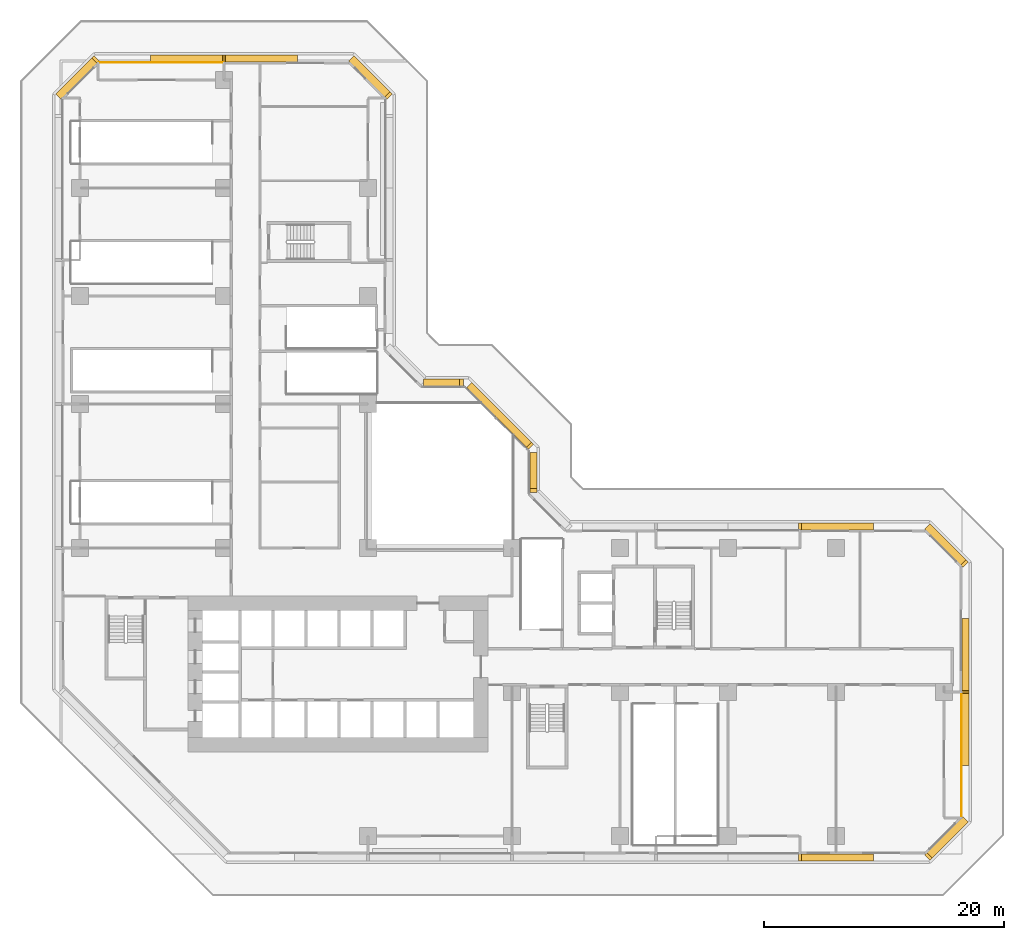
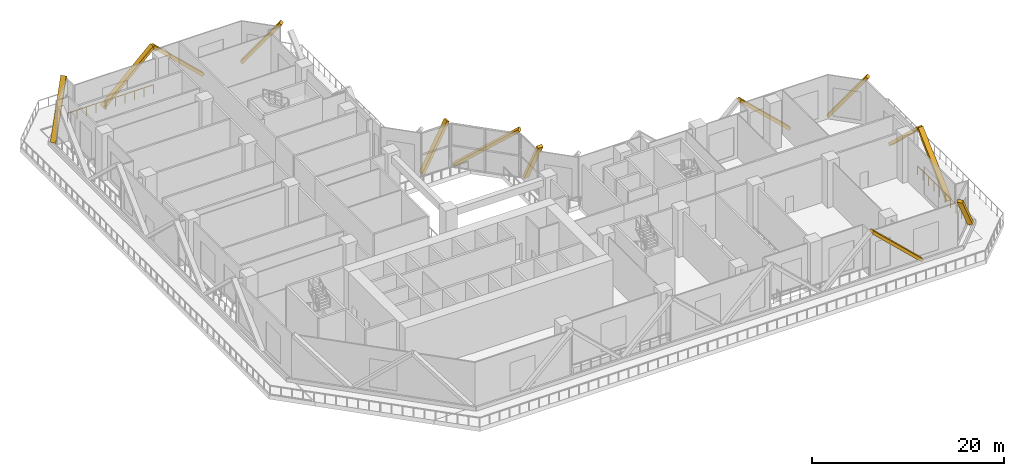
# One storey, part 16 of 16: 13 coverings, 2 railings.
"""IFC4 building model written with IfcOpenShell, lengths in metres."""

from ifc_helpers import new_model, si_unit, direction, frame, origin, origin_2d, place, context, subcontext, project, spatial, rectangle, extrude, material, material_profile, profile_set, type_object, element, save


model = new_model("IFC4")

# Units and contexts
model_context = context("Model", 3, precision=1e-05, world=origin(), true_north=direction((0.0, 1.0)))
body_context = subcontext(model_context, "Body", "Model", "MODEL_VIEW")
ifc_project = project(units=[si_unit("LENGTHUNIT", "METRE"), si_unit("AREAUNIT", "SQUARE_METRE"), si_unit("VOLUMEUNIT", "CUBIC_METRE"), si_unit("PLANEANGLEUNIT", "RADIAN"), si_unit("MASSUNIT", "GRAM", prefix="KILO")], contexts=[model_context])

# Site, building, storey
site_placement = place(None, origin())
site = spatial("IfcSite", under=ifc_project, at=site_placement, CompositionType="ELEMENT")
building_placement = place(site_placement, origin())
building = spatial("IfcBuilding", under=site, at=building_placement, Name="Chenar Terraces", CompositionType="ELEMENT")
storey_placement = place(building_placement, frame((0.0, 0.0, 35.39990234375)))
storey = spatial("IfcBuildingStorey", under=building, at=storey_placement, Name="L06", CompositionType="ELEMENT", Elevation=35.39990234375)

# Railings
ifc_material_1 = material(Name="Stainless steel and glass", Category="steel")
railing_type = type_object("IfcRailingType", Name="Loggia guard 1150", PredefinedType="GUARDRAIL", material=ifc_material_1)
railing_1_placement = place(storey_placement, frame((73.449951171875, 1.574951171875, 0.0)))
element("IfcRailing", 1, at=railing_1_placement, inside=storey, type_object=railing_type, Name="Loggia guard", PredefinedType="GUARDRAIL", context=body_context, shape_type="SweptSolid", body=[
    extrude(rectangle(XDim=0.048095703125, YDim=0.048095703125, at=origin_2d()), frame((0.0, 0.0, 1.1259765625), z_axis=(0.0, 1.0, 0.0), x_axis=(-1.0, 0.0, 0.0)), (0.0, 0.0, 1.0), 10.35009765625),
    extrude(rectangle(XDim=0.0419921875, YDim=0.0419921875, at=origin_2d()), origin(), (0.0, 0.0, 1.0), 1.101806640625),
    extrude(rectangle(XDim=0.0419921875, YDim=0.0419921875, at=origin_2d()), frame((0.0, 1.14990234375, 0.0)), (0.0, 0.0, 1.0), 1.101806640625),
    extrude(rectangle(XDim=0.0419921875, YDim=0.0419921875, at=origin_2d()), frame((0.0, 2.300048828125, 0.0)), (0.0, 0.0, 1.0), 1.101806640625),
    extrude(rectangle(XDim=0.0419921875, YDim=0.0419921875, at=origin_2d()), frame((0.0, 3.449951171875, 0.0)), (0.0, 0.0, 1.0), 1.101806640625),
    extrude(rectangle(XDim=0.0419921875, YDim=0.0419921875, at=origin_2d()), frame((0.0, 4.60009765625, 0.0)), (0.0, 0.0, 1.0), 1.101806640625),
    extrude(rectangle(XDim=0.0419921875, YDim=0.0419921875, at=origin_2d()), frame((0.0, 5.75, 0.0)), (0.0, 0.0, 1.0), 1.101806640625),
    extrude(rectangle(XDim=0.0419921875, YDim=0.0419921875, at=origin_2d()), frame((0.0, 6.900146484375, 0.0)), (0.0, 0.0, 1.0), 1.101806640625),
    extrude(rectangle(XDim=0.0419921875, YDim=0.0419921875, at=origin_2d()), frame((0.0, 8.050048828125, 0.0)), (0.0, 0.0, 1.0), 1.101806640625),
    extrude(rectangle(XDim=0.0419921875, YDim=0.0419921875, at=origin_2d()), frame((0.0, 9.2001953125, 0.0)), (0.0, 0.0, 1.0), 1.101806640625),
    extrude(rectangle(XDim=0.0419921875, YDim=0.0419921875, at=origin_2d()), frame((0.0, 10.35009765625, 0.0)), (0.0, 0.0, 1.0), 1.101806640625),
])
railing_2_placement = place(storey_placement, frame((11.925048828125, 64.449951171875, 0.0)))
element("IfcRailing", 2, at=railing_2_placement, inside=storey, type_object=railing_type, Name="Loggia guard", PredefinedType="GUARDRAIL", context=body_context, shape_type="SweptSolid", body=[
    extrude(rectangle(XDim=0.048095703125, YDim=0.048095703125, at=origin_2d()), frame((0.0, 0.0, 1.1259765625), z_axis=(-1.0, 0.0, 0.0), x_axis=(0.0, -1.0, 0.0)), (0.0, 0.0, 1.0), 10.35009765625),
    extrude(rectangle(XDim=0.0419921875, YDim=0.0419921875, at=origin_2d()), origin(), (0.0, 0.0, 1.0), 1.101806640625),
    extrude(rectangle(XDim=0.0419921875, YDim=0.0419921875, at=origin_2d()), frame((-1.14990234375, 0.0, 0.0)), (0.0, 0.0, 1.0), 1.101806640625),
    extrude(rectangle(XDim=0.0419921875, YDim=0.0419921875, at=origin_2d()), frame((-2.300048828125, 0.0, 0.0)), (0.0, 0.0, 1.0), 1.101806640625),
    extrude(rectangle(XDim=0.0419921875, YDim=0.0419921875, at=origin_2d()), frame((-3.449951171875, 0.0, 0.0)), (0.0, 0.0, 1.0), 1.101806640625),
    extrude(rectangle(XDim=0.0419921875, YDim=0.0419921875, at=origin_2d()), frame((-4.60009765625, 0.0, 0.0)), (0.0, 0.0, 1.0), 1.101806640625),
    extrude(rectangle(XDim=0.0419921875, YDim=0.0419921875, at=origin_2d()), frame((-5.75, 0.0, 0.0)), (0.0, 0.0, 1.0), 1.101806640625),
    extrude(rectangle(XDim=0.0419921875, YDim=0.0419921875, at=origin_2d()), frame((-6.900146484375, 0.0, 0.0)), (0.0, 0.0, 1.0), 1.101806640625),
    extrude(rectangle(XDim=0.0419921875, YDim=0.0419921875, at=origin_2d()), frame((-8.050048828125, 0.0, 0.0)), (0.0, 0.0, 1.0), 1.101806640625),
    extrude(rectangle(XDim=0.0419921875, YDim=0.0419921875, at=origin_2d()), frame((-9.2001953125, 0.0, 0.0)), (0.0, 0.0, 1.0), 1.101806640625),
    extrude(rectangle(XDim=0.0419921875, YDim=0.0419921875, at=origin_2d()), frame((-10.35009765625, 0.0, 0.0)), (0.0, 0.0, 1.0), 1.101806640625),
])

# Coverings
ifc_material_2 = material(Name="Terracotta", Category="masonry")
ifc_material_profile = material_profile(ifc_material_2, rectangle(XDim=0.60009765625, YDim=0.35009765625, at=origin_2d()), Name="Terracotta baguette 600 x 350")
ifc_profile_set = profile_set([ifc_material_profile], Name="Terracotta")
covering_type = type_object("IfcCoveringType", Name="Terracotta baguette 600 x 350", PredefinedType="CLADDING", material=ifc_profile_set)
covering_1_placement = place(storey_placement, frame((66.0, 25.800048828125, 0.150146484375), z_axis=(-0.725002379753, 0.0, 0.688746360681), x_axis=(0.0, -1.0, 0.0)))
element("IfcCovering", 3, at=covering_1_placement, inside=storey, type_object=covering_type, Name="Terracotta baguette", PredefinedType="CLADDING", context=body_context, shape_type="SweptSolid", body=[
    extrude(rectangle(XDim=0.60009765625, YDim=0.35009765625, at=origin_2d()), origin(), (0.0, 0.0, 1.0), 8.27587890625),
])
covering_2_placement = place(storey_placement, frame((37.800048828125, 28.800048828125, 5.85009765625), z_axis=(0.0, 0.465749557138, -0.884916578004), x_axis=(-1.0, 0.0, 0.0)))
element("IfcCovering", 4, at=covering_2_placement, inside=storey, type_object=covering_type, Name="Terracotta baguette", PredefinedType="CLADDING", context=body_context, shape_type="SweptSolid", body=[
    extrude(rectangle(XDim=0.60009765625, YDim=0.35009765625, at=origin_2d()), origin(), (0.0, 0.0, 1.0), 6.441162109375),
])
covering_3_placement = place(storey_placement, frame((37.5, 32.524169921875, 5.85009765625), z_axis=(-0.549464342181, 0.549464342181, -0.629426622683), x_axis=(-0.707106781187, -0.707106781187, 0.0)))
element("IfcCovering", 5, at=covering_3_placement, inside=storey, type_object=covering_type, Name="Terracotta baguette", PredefinedType="CLADDING", context=body_context, shape_type="SweptSolid", body=[
    extrude(rectangle(XDim=0.60009765625, YDim=0.35009765625, at=origin_2d()), origin(), (0.0, 0.0, 1.0), 9.0556640625),
])
covering_4_placement = place(storey_placement, frame((31.800048828125, 37.800048828125, 5.85009765625), z_axis=(-0.465749557138, 0.0, -0.884916578004), x_axis=(0.0, -1.0, 0.0)))
element("IfcCovering", 6, at=covering_4_placement, inside=storey, type_object=covering_type, Name="Terracotta baguette", PredefinedType="CLADDING", context=body_context, shape_type="SweptSolid", body=[
    extrude(rectangle(XDim=0.60009765625, YDim=0.35009765625, at=origin_2d()), origin(), (0.0, 0.0, 1.0), 6.441162109375),
])
covering_5_placement = place(storey_placement, frame((25.712158203125, 61.712158203125, 5.85009765625), z_axis=(-0.422202658261, 0.422202658261, -0.802178178907), x_axis=(-0.707106781187, -0.707106781187, 0.0)))
element("IfcCovering", 7, at=covering_5_placement, inside=storey, type_object=covering_type, Name="Terracotta baguette", PredefinedType="CLADDING", context=body_context, shape_type="SweptSolid", body=[
    extrude(rectangle(XDim=0.60009765625, YDim=0.35009765625, at=origin_2d()), origin(), (0.0, 0.0, 1.0), 7.105712890625),
])
for number, where, z_axis, x_axis, name in (
    (8, (18.0, 64.800048828125, 0.150146484375), (-0.725002379753, 0.0, 0.688746360681), (0.0, -1.0, 0.0), "Terracotta baguette"),
    (9, (12.0, 64.800048828125, 5.85009765625), (-0.725002379753, 0.0, -0.688746360681), (0.0, -1.0, 0.0), "Terracotta baguette"),
):
    element("IfcCovering", number, at=place(storey_placement, frame(where, z_axis=z_axis, x_axis=x_axis)), inside=storey, type_object=covering_type, Name=name, PredefinedType="CLADDING", context=body_context, shape_type="SweptSolid", body=[
        extrude(rectangle(XDim=0.60009765625, YDim=0.35009765625, at=origin_2d()), origin(), (0.0, 0.0, 1.0), 8.27587890625),
    ])
covering_6_placement = place(storey_placement, frame((1.287841796875, 64.712158203125, 5.85009765625), z_axis=(-0.422202658261, -0.422202658261, -0.802178178907), x_axis=(0.707106781187, -0.707106781187, 0.0)))
element("IfcCovering", 10, at=covering_6_placement, inside=storey, type_object=covering_type, Name="Terracotta baguette", PredefinedType="CLADDING", context=body_context, shape_type="SweptSolid", body=[
    extrude(rectangle(XDim=0.60009765625, YDim=0.35009765625, at=origin_2d()), origin(), (0.0, 0.0, 1.0), 7.105712890625),
])
covering_7_placement = place(storey_placement, frame((60.0, -1.800048828125, 5.85009765625), z_axis=(0.725002379753, 0.0, -0.688746360681), x_axis=(0.0, 1.0, 0.0)))
element("IfcCovering", 11, at=covering_7_placement, inside=storey, type_object=covering_type, Name="Terracotta baguette", PredefinedType="CLADDING", context=body_context, shape_type="SweptSolid", body=[
    extrude(rectangle(XDim=0.60009765625, YDim=0.35009765625, at=origin_2d()), origin(), (0.0, 0.0, 1.0), 8.27587890625),
])
covering_8_placement = place(storey_placement, frame((70.712158203125, -1.712158203125, 5.85009765625), z_axis=(0.422202658261, 0.422202658261, -0.802178178907), x_axis=(-0.707106781187, 0.707106781187, 0.0)))
element("IfcCovering", 12, at=covering_8_placement, inside=storey, type_object=covering_type, Name="Terracotta baguette", PredefinedType="CLADDING", context=body_context, shape_type="SweptSolid", body=[
    extrude(rectangle(XDim=0.60009765625, YDim=0.35009765625, at=origin_2d()), origin(), (0.0, 0.0, 1.0), 7.105712890625),
])
for number, where, z_axis, x_axis, name in (
    (13, (73.800048828125, 6.0, 0.150146484375), (0.0, 0.725002379753, 0.688746360681), (-1.0, 0.0, 0.0), "Terracotta baguette"),
    (14, (73.800048828125, 12.0, 5.85009765625), (0.0, 0.725002379753, -0.688746360681), (-1.0, 0.0, 0.0), "Terracotta baguette"),
):
    element("IfcCovering", number, at=place(storey_placement, frame(where, z_axis=z_axis, x_axis=x_axis)), inside=storey, type_object=covering_type, Name=name, PredefinedType="CLADDING", context=body_context, shape_type="SweptSolid", body=[
        extrude(rectangle(XDim=0.60009765625, YDim=0.35009765625, at=origin_2d()), origin(), (0.0, 0.0, 1.0), 8.27587890625),
    ])
covering_9_placement = place(storey_placement, frame((73.712158203125, 22.712158203125, 5.85009765625), z_axis=(-0.422202658261, 0.422202658261, -0.802178178907), x_axis=(-0.707106781187, -0.707106781187, 0.0)))
element("IfcCovering", 15, at=covering_9_placement, inside=storey, type_object=covering_type, Name="Terracotta baguette", PredefinedType="CLADDING", context=body_context, shape_type="SweptSolid", body=[
    extrude(rectangle(XDim=0.60009765625, YDim=0.35009765625, at=origin_2d()), origin(), (0.0, 0.0, 1.0), 7.105712890625),
])

save(model, "model.ifc")
